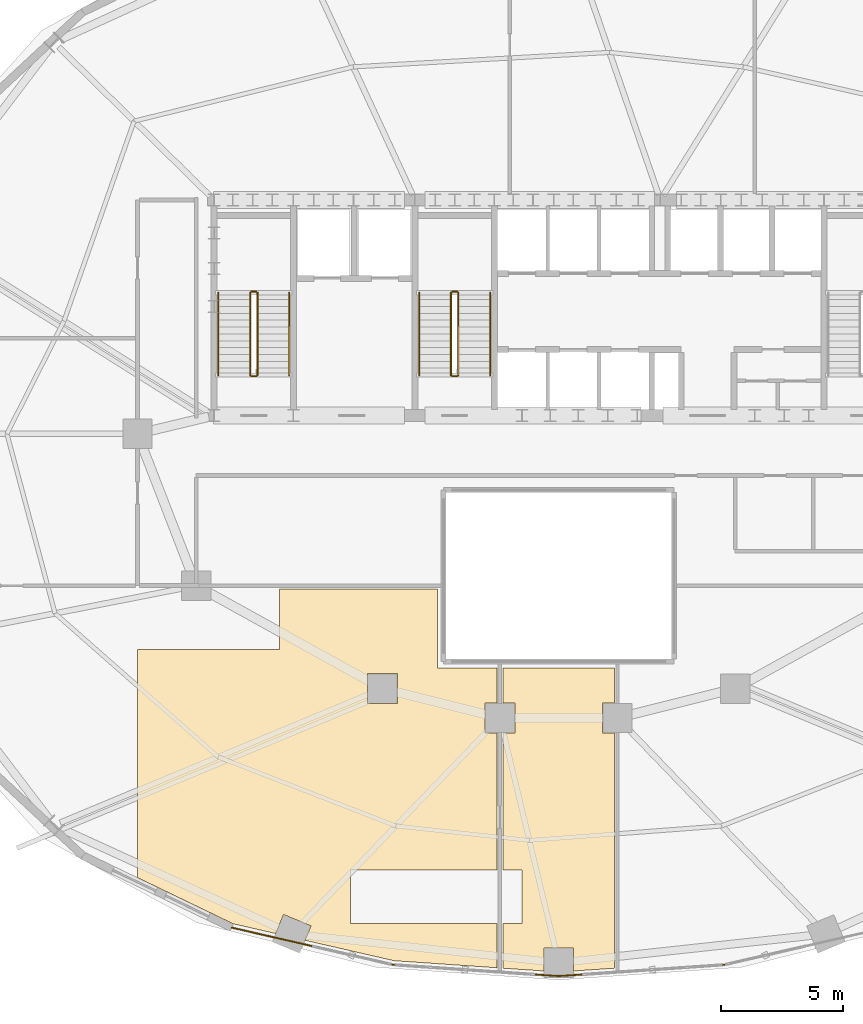
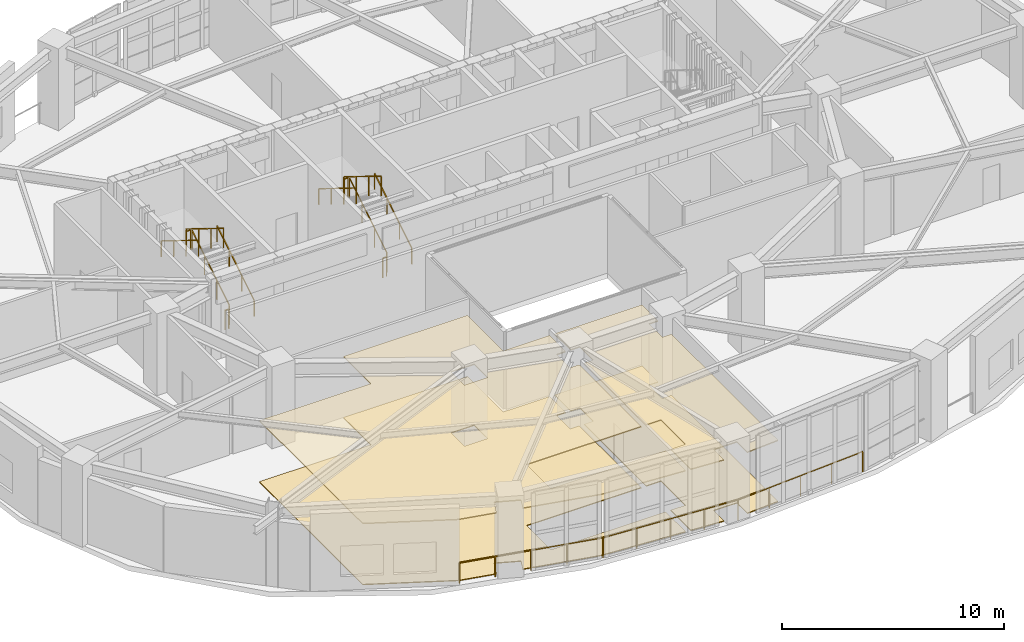
# One storey, part 13 of 15: 15 railings, 4 coverings.
"""IFC4 building model written with IfcOpenShell, lengths in metres."""

import ifcopenshell
import ifcopenshell.guid

model = None  # the IFC model being written
_history = None  # IfcOwnerHistory: only IFC2X3 demands one
_inside = {}  # id of a spatial element -> (the spatial element, [elements in it])
_under = {}  # id of a project, library or spatial element -> (it, [spatial elements below it])
_declared = {}  # id of a project -> (the project, [libraries it declares])
_typed = {}  # id of a type object -> (the type object, [elements of that type])
_made_of = {}  # id of a material, layer set ... -> (it, [elements and type objects made of it])


def new_model(schema):
    """Start an empty IFC model of exactly this schema.

    Asked for "IFC4X3", IfcOpenShell would pick the latest addendum, in which some entities
    have other attributes; the version numbers below select the first issue.
    IFC2X3 requires an IfcOwnerHistory on every rooted entity: one is made here for all.
    """
    global model, _history
    if schema == "IFC4X3":
        model = ifcopenshell.file(schema_version=(4, 3, 0, 0))
    else:
        model = ifcopenshell.file(schema=schema)
    _inside.clear()
    _under.clear()
    _declared.clear()
    _typed.clear()
    _made_of.clear()
    _history = None
    if model.schema == "IFC2X3":
        org = make("IfcOrganization", Name="unknown")
        user = make(
            "IfcPersonAndOrganization",
            ThePerson=make("IfcPerson", FamilyName="unknown"),
            TheOrganization=org,
        )
        app = make(
            "IfcApplication",
            ApplicationDeveloper=org,
            Version="unknown",
            ApplicationFullName="unknown",
            ApplicationIdentifier="unknown",
        )
        _history = make(
            "IfcOwnerHistory",
            OwningUser=user,
            OwningApplication=app,
            ChangeAction="ADDED",
            CreationDate=0,
        )
    return model


def make(cls, **values):
    """One entity of the class cls with the attributes given. An attribute that is None is left unset."""
    return model.create_entity(
        cls, **{name: value for name, value in values.items() if value is not None}
    )


def rooted(cls, **values):
    """An entity with a GlobalId (a new one), such as an element, a storey or a relation."""
    return make(cls, GlobalId=ifcopenshell.guid.new(), OwnerHistory=_history, **values)


def si_unit(unit_type, name, prefix=None):
    """IfcSIUnit, for example si_unit("LENGTHUNIT", "METRE", prefix="MILLI")."""
    return make("IfcSIUnit", UnitType=unit_type, Prefix=prefix, Name=name)


def assignment(units):
    """IfcUnitAssignment: the units of a project."""
    return None if units is None else make("IfcUnitAssignment", Units=units)


def point(xyz):
    """IfcCartesianPoint."""
    return None if xyz is None else make("IfcCartesianPoint", Coordinates=xyz)


def direction(xyz):
    """IfcDirection."""
    return None if xyz is None else make("IfcDirection", DirectionRatios=xyz)


def frame(location, z_axis=None, x_axis=None):
    """IfcAxis2Placement3D, a coordinate frame: its origin and axes. An axis left out is left unset."""
    return make(
        "IfcAxis2Placement3D",
        Location=point(location),
        Axis=direction(z_axis),
        RefDirection=direction(x_axis),
    )


def frame_2d(location, x_axis=None):
    """IfcAxis2Placement2D, a coordinate frame in the plane: its origin and x axis."""
    return make(
        "IfcAxis2Placement2D", Location=point(location), RefDirection=direction(x_axis)
    )


def origin():
    """The frame at (0, 0, 0) with its axes left unset."""
    return frame((0.0, 0.0, 0.0))


def origin_2d():
    """The frame at (0, 0) in the plane with its x axis left unset."""
    return frame_2d((0.0, 0.0))


def place(relative_to, where):
    """IfcLocalPlacement: puts the frame where relative to a parent placement (None: the world)."""
    return make(
        "IfcLocalPlacement", PlacementRelTo=relative_to, RelativePlacement=where
    )


def context(
    kind, dimensions, precision=None, world=None, true_north=None, identifier=None
):
    """IfcGeometricRepresentationContext, for example the 3D "Model" context."""
    return make(
        "IfcGeometricRepresentationContext",
        ContextIdentifier=identifier,
        ContextType=kind,
        CoordinateSpaceDimension=dimensions,
        Precision=precision,
        WorldCoordinateSystem=world,
        TrueNorth=true_north,
    )


def subcontext(parent, identifier, kind, view, scale=None):
    """IfcGeometricRepresentationSubContext, for example "Body" below "Model"."""
    return make(
        "IfcGeometricRepresentationSubContext",
        ContextIdentifier=identifier,
        ContextType=kind,
        ParentContext=parent,
        TargetScale=scale,
        TargetView=view,
    )


def project(units=None, contexts=None):
    """IfcProject with its units and contexts."""
    return rooted(
        "IfcProject",
        Name="project",
        RepresentationContexts=contexts,
        UnitsInContext=assignment(units),
    )


def spatial(cls, under=None, at=None, **own):
    """A site, building, storey or space (cls), placed at a placement, below another one or the project."""
    s = rooted(cls, ObjectPlacement=at, **own)
    if under is not None:
        _under.setdefault(under.id(), (under, []))[1].append(s)
    return s


def polyline(points):
    """IfcPolyline through the points."""
    return make("IfcPolyline", Points=[point(p) for p in points])


def profile(cls, at=None, kind="AREA", **sizes):
    """A parametric profile (cls). Its sizes go by their IFC names, for example OverallWidth=200.0."""
    return make(cls, ProfileType=kind, Position=at, **sizes)


def rectangle(**sizes):
    """IfcRectangleProfileDef."""
    return profile("IfcRectangleProfileDef", **sizes)


def outline(outer, holes=None, kind="AREA"):
    """IfcArbitraryClosedProfileDef: a profile drawn as a closed curve; with holes, ...WithVoids."""
    if holes is None:
        return make("IfcArbitraryClosedProfileDef", ProfileType=kind, OuterCurve=outer)
    return make(
        "IfcArbitraryProfileDefWithVoids",
        ProfileType=kind,
        OuterCurve=outer,
        InnerCurves=holes,
    )


def extrude(swept, where, along, depth):
    """IfcExtrudedAreaSolid: the profile swept, set in the frame where, extruded along a direction by depth."""
    return make(
        "IfcExtrudedAreaSolid",
        SweptArea=swept,
        Position=where,
        ExtrudedDirection=direction(along),
        Depth=depth,
    )


def shape(context_of_items, identifier, shape_type, items):
    """IfcShapeRepresentation: the items that make up one representation, for example the "Body"."""
    return make(
        "IfcShapeRepresentation",
        ContextOfItems=context_of_items,
        RepresentationIdentifier=identifier,
        RepresentationType=shape_type,
        Items=items,
    )


def material(Name=None, Category=None):
    """IfcMaterial."""
    return make("IfcMaterial", Name=Name, Category=Category)


def layer(
    of_material, thickness, ventilated=None, Name=None, Category=None, Priority=None
):
    """IfcMaterialLayer: one layer of a wall or slab, of a material (None: an air gap)."""
    return make(
        "IfcMaterialLayer",
        Material=of_material,
        LayerThickness=thickness,
        IsVentilated=ventilated,
        Name=Name,
        Category=Category,
        Priority=Priority,
    )


def layer_set(layers, Name=None):
    """IfcMaterialLayerSet."""
    return make("IfcMaterialLayerSet", MaterialLayers=layers, LayerSetName=Name)


def made_of(thing, what):
    """Note that an element or type object is made of a material, layer set ...; save() writes the relation."""
    if what is not None:
        _made_of.setdefault(what.id(), (what, []))[1].append(thing)
    return thing


def type_object(cls, material=None, **own):
    """A type object (cls), such as IfcWallType, which elements share."""
    return made_of(rooted(cls, **own), material)


def element(
    cls,
    number,
    at=None,
    inside=None,
    cuts=None,
    type_object=None,
    material=None,
    context=None,
    identifier="Body",
    shape_type=None,
    held_by="IfcProductDefinitionShape",
    body=None,
    shapes=None,
    **own,
):
    """One element of the class cls, such as IfcWall. Its Tag is "e" and its number.

    at: its placement. inside: the storey or other place that contains it. cuts: it is an
    opening in that element (IfcRelVoidsElement). A single representation is given by context,
    identifier, shape_type and body (its items); several are given by shapes. held_by: the class
    of the entity that holds the representations. save() writes the other relations.
    """
    e = rooted(cls, Tag="e%d" % number, ObjectPlacement=at, **own)
    if body is not None:
        shapes = [shape(context, identifier, shape_type, body)]
    if shapes is not None:
        e.Representation = make(held_by, Representations=shapes)
    if inside is not None:
        _inside.setdefault(inside.id(), (inside, []))[1].append(e)
    if cuts is not None:
        rooted(
            "IfcRelVoidsElement", RelatingBuildingElement=cuts, RelatedOpeningElement=e
        )
    if type_object is not None:
        _typed.setdefault(type_object.id(), (type_object, []))[1].append(e)
    return made_of(e, material)


def aggregate(whole, parts):
    """IfcRelAggregates: a whole, such as a stair, and the parts it consists of."""
    return rooted("IfcRelAggregates", RelatingObject=whole, RelatedObjects=parts)


def save(model, path):
    """Write the relations noted so far, then the file.

    IfcRelAggregates (storeys below a building ...), IfcRelContainedInSpatialStructure (elements
    in a storey), IfcRelDefinesByType, IfcRelAssociatesMaterial and IfcRelDeclares: one each for
    every whole, place, type object, material and project.
    """
    for whole, parts in _under.values():
        aggregate(whole, parts)
    for where, things in _inside.values():
        rooted(
            "IfcRelContainedInSpatialStructure",
            RelatedElements=things,
            RelatingStructure=where,
        )
    for kind, things in _typed.values():
        rooted("IfcRelDefinesByType", RelatedObjects=things, RelatingType=kind)
    for what, things in _made_of.values():
        rooted("IfcRelAssociatesMaterial", RelatedObjects=things, RelatingMaterial=what)
    for by, libraries in _declared.values():
        rooted("IfcRelDeclares", RelatingContext=by, RelatedDefinitions=libraries)
    model.write(path)


model = new_model("IFC4")

# Units and contexts
model_context = context("Model", 3, precision=1e-05, world=origin(), true_north=direction((0.0, 1.0)))
body_context = subcontext(model_context, "Body", "Model", "MODEL_VIEW")
ifc_project = project(units=[si_unit("LENGTHUNIT", "METRE"), si_unit("AREAUNIT", "SQUARE_METRE"), si_unit("VOLUMEUNIT", "CUBIC_METRE"), si_unit("PLANEANGLEUNIT", "RADIAN"), si_unit("MASSUNIT", "GRAM", prefix="KILO")], contexts=[model_context])

# Site, building, storey
site_placement = place(None, origin())
site = spatial("IfcSite", under=ifc_project, at=site_placement, CompositionType="ELEMENT")
building_placement = place(site_placement, origin())
building = spatial("IfcBuilding", under=site, at=building_placement, Name="Haldorwick Loom Tower", CompositionType="ELEMENT")
storey_placement = place(building_placement, frame((0.0, 0.0, 105.949951171875)))
storey = spatial("IfcBuildingStorey", under=building, at=storey_placement, Name="L28", CompositionType="ELEMENT", Elevation=105.949951171875)

# Coverings
ifc_material_1 = material(Name="Mineral Fibre Acoustic Ceiling Tile")
ifc_layer_1 = layer(ifc_material_1, 0.054931640625, Name="Mineral Fibre Acoustic Ceiling Tile")
ifc_layer_set_1 = layer_set([ifc_layer_1], Name="Mineral Fibre Acoustic Ceiling Tile")
covering_type_1 = type_object("IfcCoveringType", Name="ARC-COV-CEIL2", PredefinedType="CEILING", material=ifc_layer_set_1)
covering_1_placement = place(storey_placement, frame((0.0, 0.0, 3.35205078125)))
element("IfcCovering", 1, at=covering_1_placement, inside=storey, type_object=covering_type_1, Name="L28 Acoustic Suspended Ceiling 1", PredefinedType="CEILING", context=body_context, shape_type="SweptSolid", body=[
    extrude(outline(polyline([(38.27001953125, 4.182861328125), (38.27001953125, 13.7919921875), (37.7919921875, 13.7919921875), (37.7919921875, 15.008056640625), (38.27001953125, 15.008056640625), (38.27001953125, 16.449951171875), (33.72998046875, 16.449951171875), (33.72998046875, 15.008056640625), (34.2080078125, 15.008056640625), (34.2080078125, 13.7919921875), (33.72998046875, 13.7919921875), (33.72998046875, 8.199951171875), (34.5, 8.199951171875), (34.5, 6.0), (33.72998046875, 6.0), (33.72998046875, 4.182861328125), (35.39208984375, 4.068603515625), (35.39208984375, 5.009521484375), (36.60791015625, 5.009521484375), (36.60791015625, 4.068603515625), (38.27001953125, 4.182861328125)])), origin(), (0.0, 0.0, 1.0), 0.054931640625),
])
covering_2_placement = place(storey_placement, frame((0.0, 0.0, 3.35205078125)))
element("IfcCovering", 2, at=covering_2_placement, inside=storey, type_object=covering_type_1, Name="L28 Acoustic Suspended Ceiling 2", PredefinedType="CEILING", context=body_context, shape_type="SweptSolid", body=[
    extrude(outline(polyline([(33.469970703125, 4.20068359375), (33.469970703125, 6.0), (27.5, 6.0), (27.5, 8.199951171875), (33.469970703125, 8.199951171875), (33.469970703125, 13.7919921875), (32.991943359375, 13.7919921875), (32.991943359375, 15.008056640625), (33.469970703125, 15.008056640625), (33.469970703125, 16.449951171875), (31.050048828125, 16.449951171875), (31.050048828125, 19.669921875), (24.60009765625, 19.669921875), (24.60009765625, 17.199951171875), (18.800048828125, 17.199951171875), (18.800048828125, 7.882568359375), (22.702392578125, 5.998291015625), (24.44189453125, 5.598388671875), (24.764404296875, 6.376708984375), (25.887939453125, 5.911376953125), (25.643798828125, 5.322021484375), (29.26708984375, 4.4892578125), (33.469970703125, 4.20068359375)]), holes=[polyline([(29.407958984375, 16.2080078125), (29.407958984375, 14.991943359375), (28.19189453125, 14.991943359375), (28.19189453125, 16.2080078125), (29.407958984375, 16.2080078125)])]), origin(), (0.0, 0.0, 1.0), 0.054931640625),
])
ifc_material_2 = material(Name="Polished Aggregate Terrazzo Finish")
ifc_layer_2 = layer(ifc_material_2, 0.044921875, Name="Polished Aggregate Terrazzo Finish")
ifc_layer_set_2 = layer_set([ifc_layer_2], Name="Polished Aggregate Terrazzo Finish")
covering_type_2 = type_object("IfcCoveringType", Name="ARC-COV-FLOOR2", PredefinedType="FLOORING", material=ifc_layer_set_2)
covering_3_placement = place(storey_placement, origin())
element("IfcCovering", 3, at=covering_3_placement, inside=storey, type_object=covering_type_2, Name="L28 Floor Finish 1", PredefinedType="FLOORING", context=body_context, shape_type="SweptSolid", body=[
    extrude(outline(polyline([(38.27001953125, 4.182861328125), (38.27001953125, 13.7919921875), (37.7919921875, 13.7919921875), (37.7919921875, 15.008056640625), (38.27001953125, 15.008056640625), (38.27001953125, 16.449951171875), (33.72998046875, 16.449951171875), (33.72998046875, 15.008056640625), (34.2080078125, 15.008056640625), (34.2080078125, 13.7919921875), (33.72998046875, 13.7919921875), (33.72998046875, 8.199951171875), (34.5, 8.199951171875), (34.5, 6.0), (33.72998046875, 6.0), (33.72998046875, 4.182861328125), (35.39208984375, 4.068603515625), (35.39208984375, 5.009521484375), (36.60791015625, 5.009521484375), (36.60791015625, 4.068603515625), (38.27001953125, 4.182861328125)])), origin(), (0.0, 0.0, 1.0), 0.045166015625),
])
covering_4_placement = place(storey_placement, origin())
element("IfcCovering", 4, at=covering_4_placement, inside=storey, type_object=covering_type_2, Name="L28 Floor Finish 2", PredefinedType="FLOORING", context=body_context, shape_type="SweptSolid", body=[
    extrude(outline(polyline([(33.469970703125, 4.20068359375), (33.469970703125, 6.0), (27.5, 6.0), (27.5, 8.199951171875), (33.469970703125, 8.199951171875), (33.469970703125, 13.7919921875), (32.991943359375, 13.7919921875), (32.991943359375, 15.008056640625), (33.469970703125, 15.008056640625), (33.469970703125, 16.449951171875), (31.050048828125, 16.449951171875), (31.050048828125, 19.669921875), (24.60009765625, 19.669921875), (24.60009765625, 17.199951171875), (18.800048828125, 17.199951171875), (18.800048828125, 7.882568359375), (22.702392578125, 5.998291015625), (24.44189453125, 5.598388671875), (24.764404296875, 6.376708984375), (25.887939453125, 5.911376953125), (25.643798828125, 5.322021484375), (29.26708984375, 4.4892578125), (33.469970703125, 4.20068359375)]), holes=[polyline([(29.407958984375, 16.2080078125), (29.407958984375, 14.991943359375), (28.19189453125, 14.991943359375), (28.19189453125, 16.2080078125), (29.407958984375, 16.2080078125)])]), origin(), (0.0, 0.0, 1.0), 0.045166015625),
])

# Railings
ifc_material_3 = material(Name="Galvanized Steel CSA G40.21 350W", Category="steel")
railing_type_1 = type_object("IfcRailingType", Name="ARC-RLG-BAL115", PredefinedType="BALUSTRADE", material=ifc_material_3)
railing_1_placement = place(storey_placement, frame((22.647216796875, 5.841552734375, 0.0)))
element("IfcRailing", 5, at=railing_1_placement, inside=storey, type_object=railing_type_1, Name="L28 Curtain-Wall Sill Safety Guardrail 17", PredefinedType="BALUSTRADE", context=body_context, shape_type="SweptSolid", body=[
    extrude(rectangle(XDim=0.048095703125, YDim=0.048095703125, at=origin_2d()), frame((0.0, 0.0, 1.1259765625), z_axis=(0.974584177714, -0.224021607329, 0.0), x_axis=(0.224021607329, 0.974584177714, 0.0)), (0.0, 0.0, 1.0), 6.767822265625),
    extrude(rectangle(XDim=0.0419921875, YDim=0.0419921875, at=origin_2d()), origin(), (0.0, 0.0, 1.0), 1.101806640625),
    extrude(rectangle(XDim=0.0419921875, YDim=0.0419921875, at=origin_2d()), frame((1.64892578125, -0.37890625, 0.0)), (0.0, 0.0, 1.0), 1.101806640625),
    extrude(rectangle(XDim=0.0419921875, YDim=0.0419921875, at=origin_2d()), frame((3.2978515625, -0.758056640625, 0.0)), (0.0, 0.0, 1.0), 1.101806640625),
    extrude(rectangle(XDim=0.0419921875, YDim=0.0419921875, at=origin_2d()), frame((4.94677734375, -1.13720703125, 0.0)), (0.0, 0.0, 1.0), 1.101806640625),
    extrude(rectangle(XDim=0.0419921875, YDim=0.0419921875, at=origin_2d()), frame((6.595703125, -1.51611328125, 0.0)), (0.0, 0.0, 1.0), 1.101806640625),
])
railing_2_placement = place(storey_placement, frame((29.242919921875, 4.325439453125, 0.0)))
element("IfcRailing", 6, at=railing_2_placement, inside=storey, type_object=railing_type_1, Name="L28 Curtain-Wall Sill Safety Guardrail 18", PredefinedType="BALUSTRADE", context=body_context, shape_type="SweptSolid", body=[
    extrude(rectangle(XDim=0.048095703125, YDim=0.048095703125, at=origin_2d()), frame((0.0, 0.0, 1.1259765625), z_axis=(0.997651949344, -0.068487867318, 0.0), x_axis=(0.068487867318, 0.997651949344, 0.0)), (0.0, 0.0, 1.0), 6.77294921875),
    extrude(rectangle(XDim=0.0419921875, YDim=0.0419921875, at=origin_2d()), origin(), (0.0, 0.0, 1.0), 1.101806640625),
    extrude(rectangle(XDim=0.0419921875, YDim=0.0419921875, at=origin_2d()), frame((1.689208984375, -0.115966796875, 0.0)), (0.0, 0.0, 1.0), 1.101806640625),
    extrude(rectangle(XDim=0.0419921875, YDim=0.0419921875, at=origin_2d()), frame((3.37841796875, -0.23193359375, 0.0)), (0.0, 0.0, 1.0), 1.101806640625),
    extrude(rectangle(XDim=0.0419921875, YDim=0.0419921875, at=origin_2d()), frame((5.06787109375, -0.347900390625, 0.0)), (0.0, 0.0, 1.0), 1.101806640625),
    extrude(rectangle(XDim=0.0419921875, YDim=0.0419921875, at=origin_2d()), frame((6.757080078125, -0.4638671875, 0.0)), (0.0, 0.0, 1.0), 1.101806640625),
])
railing_3_placement = place(storey_placement, frame((36.0, 3.861572265625, 0.0)))
element("IfcRailing", 7, at=railing_3_placement, inside=storey, type_object=railing_type_1, Name="L28 Curtain-Wall Sill Safety Guardrail 19", PredefinedType="BALUSTRADE", context=body_context, shape_type="SweptSolid", body=[
    extrude(rectangle(XDim=0.048095703125, YDim=0.048095703125, at=origin_2d()), frame((0.0, 0.0, 1.1259765625), z_axis=(0.997651949344, 0.068487867318, 0.0), x_axis=(-0.068487867318, 0.997651949344, 0.0)), (0.0, 0.0, 1.0), 6.77294921875),
    extrude(rectangle(XDim=0.0419921875, YDim=0.0419921875, at=origin_2d()), origin(), (0.0, 0.0, 1.0), 1.101806640625),
    extrude(rectangle(XDim=0.0419921875, YDim=0.0419921875, at=origin_2d()), frame((1.689208984375, 0.115966796875, 0.0)), (0.0, 0.0, 1.0), 1.101806640625),
    extrude(rectangle(XDim=0.0419921875, YDim=0.0419921875, at=origin_2d()), frame((3.37841796875, 0.23193359375, 0.0)), (0.0, 0.0, 1.0), 1.101806640625),
    extrude(rectangle(XDim=0.0419921875, YDim=0.0419921875, at=origin_2d()), frame((5.06787109375, 0.347900390625, 0.0)), (0.0, 0.0, 1.0), 1.101806640625),
    extrude(rectangle(XDim=0.0419921875, YDim=0.0419921875, at=origin_2d()), frame((6.757080078125, 0.4638671875, 0.0)), (0.0, 0.0, 1.0), 1.101806640625),
])
ifc_material_4 = material(Name="Steel CSA G40.21 350W", Category="steel")
railing_type_2 = type_object("IfcRailingType", Name="ARC-RLG-GUARD112", PredefinedType="GUARDRAIL", material=ifc_material_4)
railing_4_placement = place(storey_placement, frame((23.699951171875, 28.39990234375, 0.173095703125)))
element("IfcRailing", 8, at=railing_4_placement, inside=storey, type_object=railing_type_2, Name="L28 ST-01 stair guard 1", PredefinedType="GUARDRAIL", context=body_context, shape_type="SweptSolid", body=[
    extrude(rectangle(XDim=0.048095703125, YDim=0.048095703125, at=origin_2d()), frame((0.0, 0.0, 1.076171875), z_axis=(0.0, 0.850623216509, 0.525775754039), x_axis=(-1.0, 0.0, 0.0)), (0.0, 0.0, 1.0), 3.9501953125),
    extrude(rectangle(XDim=0.0419921875, YDim=0.0419921875, at=origin_2d()), origin(), (0.0, 0.0, 1.0), 1.052001953125),
    extrude(rectangle(XDim=0.0419921875, YDim=0.0419921875, at=origin_2d()), frame((0.0, 1.1201171875, 0.6923828125)), (0.0, 0.0, 1.0), 1.052001953125),
    extrude(rectangle(XDim=0.0419921875, YDim=0.0419921875, at=origin_2d()), frame((0.0, 2.239990234375, 1.384521484375)), (0.0, 0.0, 1.0), 1.052001953125),
    extrude(rectangle(XDim=0.0419921875, YDim=0.0419921875, at=origin_2d()), frame((0.0, 3.360107421875, 2.076904296875)), (0.0, 0.0, 1.0), 1.052001953125),
])
railing_5_placement = place(storey_placement, frame((23.64990234375, 31.81005859375, 2.25)))
element("IfcRailing", 9, at=railing_5_placement, inside=storey, type_object=railing_type_2, Name="L28 ST-01 stair guard 2", PredefinedType="GUARDRAIL", context=body_context, shape_type="SweptSolid", body=[
    extrude(rectangle(XDim=0.048095703125, YDim=0.048095703125, at=origin_2d()), frame((0.0, 0.0, 1.076171875), z_axis=(-1.0, 0.0, 0.0), x_axis=(0.0, -1.0, 0.0)), (0.0, 0.0, 1.0), 0.199951171875),
    extrude(rectangle(XDim=0.0419921875, YDim=0.0419921875, at=origin_2d()), origin(), (0.0, 0.0, 1.0), 1.052001953125),
    extrude(rectangle(XDim=0.0419921875, YDim=0.0419921875, at=origin_2d()), frame((-0.199951171875, 0.0, 0.0)), (0.0, 0.0, 1.0), 1.052001953125),
])
railing_6_placement = place(storey_placement, frame((23.39990234375, 31.760009765625, 2.423095703125)))
element("IfcRailing", 10, at=railing_6_placement, inside=storey, type_object=railing_type_2, Name="L28 ST-01 stair guard 3", PredefinedType="GUARDRAIL", context=body_context, shape_type="SweptSolid", body=[
    extrude(rectangle(XDim=0.048095703125, YDim=0.048095703125, at=origin_2d()), frame((0.0, 0.0, 1.076171875), z_axis=(0.0, -0.850623216509, 0.525775754039), x_axis=(1.0, 0.0, 0.0)), (0.0, 0.0, 1.0), 3.9501953125),
    extrude(rectangle(XDim=0.0419921875, YDim=0.0419921875, at=origin_2d()), origin(), (0.0, 0.0, 1.0), 1.052001953125),
    extrude(rectangle(XDim=0.0419921875, YDim=0.0419921875, at=origin_2d()), frame((0.0, -1.1201171875, 0.6923828125)), (0.0, 0.0, 1.0), 1.052001953125),
    extrude(rectangle(XDim=0.0419921875, YDim=0.0419921875, at=origin_2d()), frame((0.0, -2.239990234375, 1.384521484375)), (0.0, 0.0, 1.0), 1.052001953125),
    extrude(rectangle(XDim=0.0419921875, YDim=0.0419921875, at=origin_2d()), frame((0.0, -3.360107421875, 2.076904296875)), (0.0, 0.0, 1.0), 1.052001953125),
])
railing_7_placement = place(storey_placement, frame((23.64990234375, 28.35009765625, 0.0)))
element("IfcRailing", 11, at=railing_7_placement, inside=storey, type_object=railing_type_2, Name="L28 ST-01 stair guard 4", PredefinedType="GUARDRAIL", context=body_context, shape_type="SweptSolid", body=[
    extrude(rectangle(XDim=0.048095703125, YDim=0.048095703125, at=origin_2d()), frame((0.0, 0.0, 1.076171875), z_axis=(-1.0, 0.0, 0.0), x_axis=(0.0, -1.0, 0.0)), (0.0, 0.0, 1.0), 0.199951171875),
    extrude(rectangle(XDim=0.0419921875, YDim=0.0419921875, at=origin_2d()), origin(), (0.0, 0.0, 1.0), 1.052001953125),
    extrude(rectangle(XDim=0.0419921875, YDim=0.0419921875, at=origin_2d()), frame((-0.199951171875, 0.0, 0.0)), (0.0, 0.0, 1.0), 1.052001953125),
])
railing_8_placement = place(storey_placement, frame((31.89990234375, 28.39990234375, 0.173095703125)))
element("IfcRailing", 12, at=railing_8_placement, inside=storey, type_object=railing_type_2, Name="L28 ST-03 stair guard 1", PredefinedType="GUARDRAIL", context=body_context, shape_type="SweptSolid", body=[
    extrude(rectangle(XDim=0.048095703125, YDim=0.048095703125, at=origin_2d()), frame((0.0, 0.0, 1.076171875), z_axis=(0.0, 0.850623216509, 0.525775754039), x_axis=(-1.0, 0.0, 0.0)), (0.0, 0.0, 1.0), 3.9501953125),
    extrude(rectangle(XDim=0.0419921875, YDim=0.0419921875, at=origin_2d()), origin(), (0.0, 0.0, 1.0), 1.052001953125),
    extrude(rectangle(XDim=0.0419921875, YDim=0.0419921875, at=origin_2d()), frame((0.0, 1.1201171875, 0.6923828125)), (0.0, 0.0, 1.0), 1.052001953125),
    extrude(rectangle(XDim=0.0419921875, YDim=0.0419921875, at=origin_2d()), frame((0.0, 2.239990234375, 1.384521484375)), (0.0, 0.0, 1.0), 1.052001953125),
    extrude(rectangle(XDim=0.0419921875, YDim=0.0419921875, at=origin_2d()), frame((0.0, 3.360107421875, 2.076904296875)), (0.0, 0.0, 1.0), 1.052001953125),
])
railing_9_placement = place(storey_placement, frame((31.85009765625, 31.81005859375, 2.25)))
element("IfcRailing", 13, at=railing_9_placement, inside=storey, type_object=railing_type_2, Name="L28 ST-03 stair guard 2", PredefinedType="GUARDRAIL", context=body_context, shape_type="SweptSolid", body=[
    extrude(rectangle(XDim=0.048095703125, YDim=0.048095703125, at=origin_2d()), frame((0.0, 0.0, 1.076171875), z_axis=(-1.0, 0.0, 0.0), x_axis=(0.0, -1.0, 0.0)), (0.0, 0.0, 1.0), 0.2001953125),
    extrude(rectangle(XDim=0.0419921875, YDim=0.0419921875, at=origin_2d()), origin(), (0.0, 0.0, 1.0), 1.052001953125),
    extrude(rectangle(XDim=0.0419921875, YDim=0.0419921875, at=origin_2d()), frame((-0.2001953125, 0.0, 0.0)), (0.0, 0.0, 1.0), 1.052001953125),
])
railing_10_placement = place(storey_placement, frame((31.60009765625, 31.760009765625, 2.423095703125)))
element("IfcRailing", 14, at=railing_10_placement, inside=storey, type_object=railing_type_2, Name="L28 ST-03 stair guard 3", PredefinedType="GUARDRAIL", context=body_context, shape_type="SweptSolid", body=[
    extrude(rectangle(XDim=0.048095703125, YDim=0.048095703125, at=origin_2d()), frame((0.0, 0.0, 1.076171875), z_axis=(0.0, -0.850623216509, 0.525775754039), x_axis=(1.0, 0.0, 0.0)), (0.0, 0.0, 1.0), 3.9501953125),
    extrude(rectangle(XDim=0.0419921875, YDim=0.0419921875, at=origin_2d()), origin(), (0.0, 0.0, 1.0), 1.052001953125),
    extrude(rectangle(XDim=0.0419921875, YDim=0.0419921875, at=origin_2d()), frame((0.0, -1.1201171875, 0.6923828125)), (0.0, 0.0, 1.0), 1.052001953125),
    extrude(rectangle(XDim=0.0419921875, YDim=0.0419921875, at=origin_2d()), frame((0.0, -2.239990234375, 1.384521484375)), (0.0, 0.0, 1.0), 1.052001953125),
    extrude(rectangle(XDim=0.0419921875, YDim=0.0419921875, at=origin_2d()), frame((0.0, -3.360107421875, 2.076904296875)), (0.0, 0.0, 1.0), 1.052001953125),
])
railing_11_placement = place(storey_placement, frame((31.85009765625, 28.35009765625, 0.0)))
element("IfcRailing", 15, at=railing_11_placement, inside=storey, type_object=railing_type_2, Name="L28 ST-03 stair guard 4", PredefinedType="GUARDRAIL", context=body_context, shape_type="SweptSolid", body=[
    extrude(rectangle(XDim=0.048095703125, YDim=0.048095703125, at=origin_2d()), frame((0.0, 0.0, 1.076171875), z_axis=(-1.0, 0.0, 0.0), x_axis=(0.0, -1.0, 0.0)), (0.0, 0.0, 1.0), 0.2001953125),
    extrude(rectangle(XDim=0.0419921875, YDim=0.0419921875, at=origin_2d()), origin(), (0.0, 0.0, 1.0), 1.052001953125),
    extrude(rectangle(XDim=0.0419921875, YDim=0.0419921875, at=origin_2d()), frame((-0.2001953125, 0.0, 0.0)), (0.0, 0.0, 1.0), 1.052001953125),
])
railing_type_3 = type_object("IfcRailingType", Name="ARC-RLG-HAND092", PredefinedType="HANDRAIL", material=ifc_material_4)
railing_12_placement = place(storey_placement, frame((25.0, 28.39990234375, 0.173095703125)))
element("IfcRailing", 16, at=railing_12_placement, inside=storey, type_object=railing_type_3, Name="L28 ST-01 stair handrail 1", PredefinedType="HANDRAIL", context=body_context, shape_type="SweptSolid", body=[
    extrude(rectangle(XDim=0.048095703125, YDim=0.048095703125, at=origin_2d()), frame((0.0, 0.0, 0.8759765625), z_axis=(0.0, 0.850623216509, 0.525775754039), x_axis=(-1.0, 0.0, 0.0)), (0.0, 0.0, 1.0), 3.9501953125),
    extrude(rectangle(XDim=0.0419921875, YDim=0.0419921875, at=origin_2d()), origin(), (0.0, 0.0, 1.0), 0.851806640625),
    extrude(rectangle(XDim=0.0419921875, YDim=0.0419921875, at=origin_2d()), frame((0.0, 1.1201171875, 0.6923828125)), (0.0, 0.0, 1.0), 0.851806640625),
    extrude(rectangle(XDim=0.0419921875, YDim=0.0419921875, at=origin_2d()), frame((0.0, 2.239990234375, 1.384521484375)), (0.0, 0.0, 1.0), 0.851806640625),
    extrude(rectangle(XDim=0.0419921875, YDim=0.0419921875, at=origin_2d()), frame((0.0, 3.360107421875, 2.076904296875)), (0.0, 0.0, 1.0), 0.851806640625),
])
railing_13_placement = place(storey_placement, frame((22.10009765625, 31.760009765625, 2.423095703125)))
element("IfcRailing", 17, at=railing_13_placement, inside=storey, type_object=railing_type_3, Name="L28 ST-01 stair handrail 2", PredefinedType="HANDRAIL", context=body_context, shape_type="SweptSolid", body=[
    extrude(rectangle(XDim=0.048095703125, YDim=0.048095703125, at=origin_2d()), frame((0.0, 0.0, 0.8759765625), z_axis=(0.0, -0.850623216509, 0.525775754039), x_axis=(1.0, 0.0, 0.0)), (0.0, 0.0, 1.0), 3.9501953125),
    extrude(rectangle(XDim=0.0419921875, YDim=0.0419921875, at=origin_2d()), origin(), (0.0, 0.0, 1.0), 0.851806640625),
    extrude(rectangle(XDim=0.0419921875, YDim=0.0419921875, at=origin_2d()), frame((0.0, -1.1201171875, 0.6923828125)), (0.0, 0.0, 1.0), 0.851806640625),
    extrude(rectangle(XDim=0.0419921875, YDim=0.0419921875, at=origin_2d()), frame((0.0, -2.239990234375, 1.384521484375)), (0.0, 0.0, 1.0), 0.851806640625),
    extrude(rectangle(XDim=0.0419921875, YDim=0.0419921875, at=origin_2d()), frame((0.0, -3.360107421875, 2.076904296875)), (0.0, 0.0, 1.0), 0.851806640625),
])
railing_14_placement = place(storey_placement, frame((33.199951171875, 28.39990234375, 0.173095703125)))
element("IfcRailing", 18, at=railing_14_placement, inside=storey, type_object=railing_type_3, Name="L28 ST-03 stair handrail 1", PredefinedType="HANDRAIL", context=body_context, shape_type="SweptSolid", body=[
    extrude(rectangle(XDim=0.048095703125, YDim=0.048095703125, at=origin_2d()), frame((0.0, 0.0, 0.8759765625), z_axis=(0.0, 0.850623216509, 0.525775754039), x_axis=(-1.0, 0.0, 0.0)), (0.0, 0.0, 1.0), 3.9501953125),
    extrude(rectangle(XDim=0.0419921875, YDim=0.0419921875, at=origin_2d()), origin(), (0.0, 0.0, 1.0), 0.851806640625),
    extrude(rectangle(XDim=0.0419921875, YDim=0.0419921875, at=origin_2d()), frame((0.0, 1.1201171875, 0.6923828125)), (0.0, 0.0, 1.0), 0.851806640625),
    extrude(rectangle(XDim=0.0419921875, YDim=0.0419921875, at=origin_2d()), frame((0.0, 2.239990234375, 1.384521484375)), (0.0, 0.0, 1.0), 0.851806640625),
    extrude(rectangle(XDim=0.0419921875, YDim=0.0419921875, at=origin_2d()), frame((0.0, 3.360107421875, 2.076904296875)), (0.0, 0.0, 1.0), 0.851806640625),
])
railing_15_placement = place(storey_placement, frame((30.300048828125, 31.760009765625, 2.423095703125)))
element("IfcRailing", 19, at=railing_15_placement, inside=storey, type_object=railing_type_3, Name="L28 ST-03 stair handrail 2", PredefinedType="HANDRAIL", context=body_context, shape_type="SweptSolid", body=[
    extrude(rectangle(XDim=0.048095703125, YDim=0.048095703125, at=origin_2d()), frame((0.0, 0.0, 0.8759765625), z_axis=(0.0, -0.850623216509, 0.525775754039), x_axis=(1.0, 0.0, 0.0)), (0.0, 0.0, 1.0), 3.9501953125),
    extrude(rectangle(XDim=0.0419921875, YDim=0.0419921875, at=origin_2d()), origin(), (0.0, 0.0, 1.0), 0.851806640625),
    extrude(rectangle(XDim=0.0419921875, YDim=0.0419921875, at=origin_2d()), frame((0.0, -1.1201171875, 0.6923828125)), (0.0, 0.0, 1.0), 0.851806640625),
    extrude(rectangle(XDim=0.0419921875, YDim=0.0419921875, at=origin_2d()), frame((0.0, -2.239990234375, 1.384521484375)), (0.0, 0.0, 1.0), 0.851806640625),
    extrude(rectangle(XDim=0.0419921875, YDim=0.0419921875, at=origin_2d()), frame((0.0, -3.360107421875, 2.076904296875)), (0.0, 0.0, 1.0), 0.851806640625),
])

save(model, "model.ifc")
